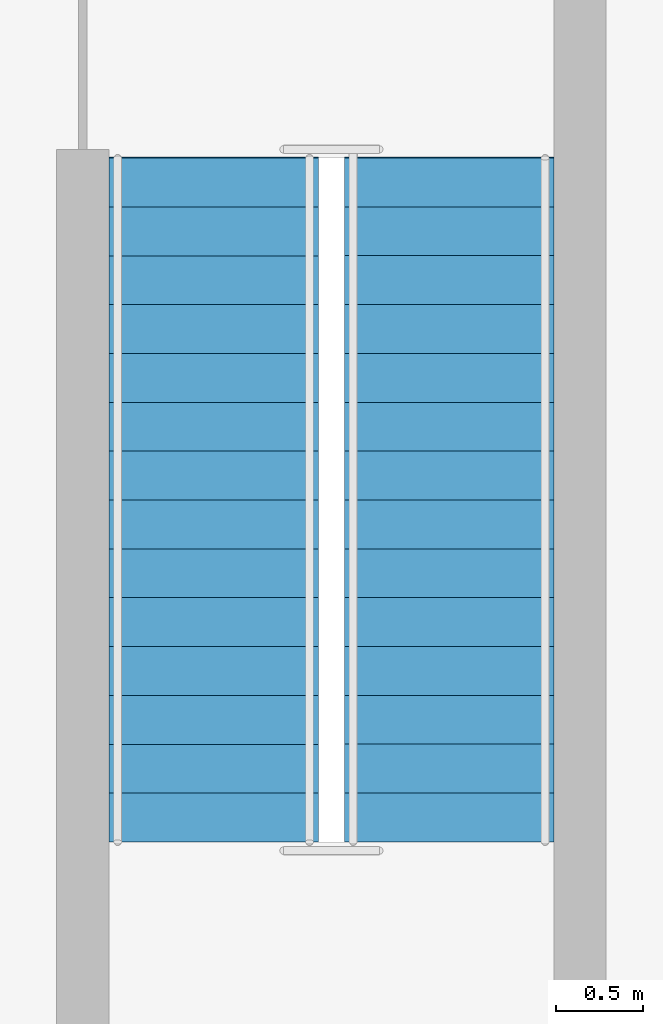
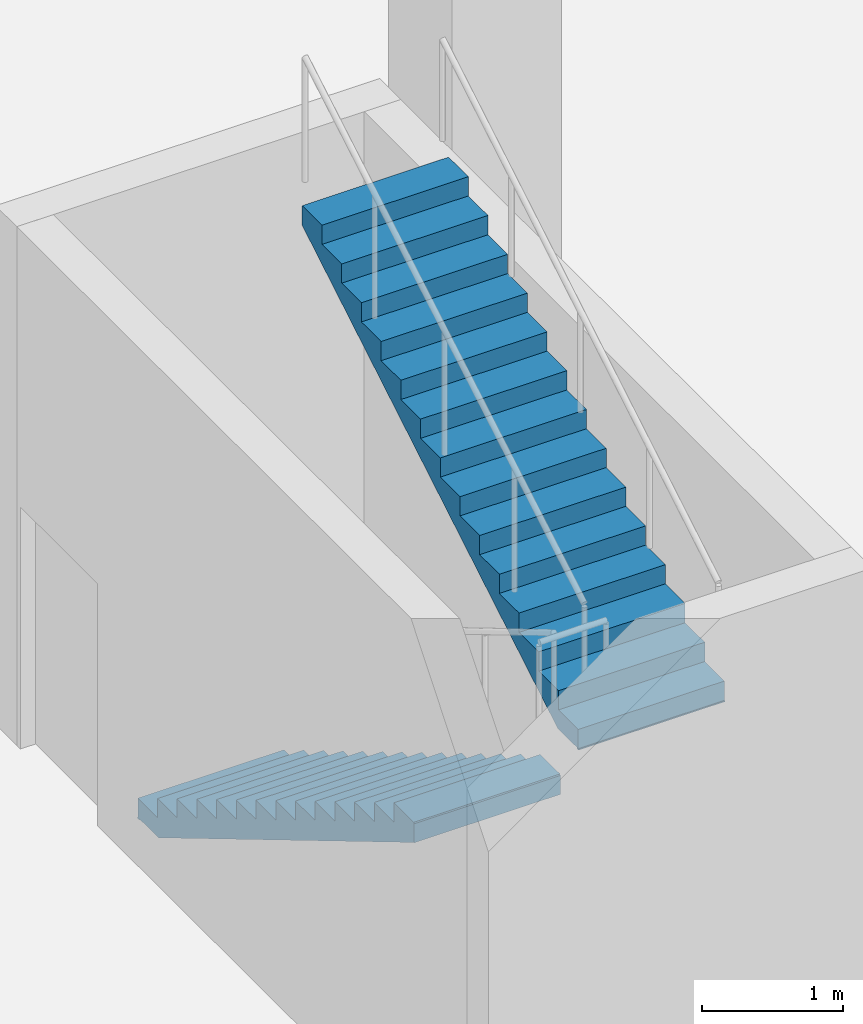
# One storey, part 33 of 36: 2 stair flights, 1 element without a shape of its own.
"""IFC4 building model written with IfcOpenShell, lengths in metres."""

from ifc_helpers import new_model, si_unit, direction, frame, origin, place, context, subcontext, project, spatial, polyline, outline, extrude, material, type_object, element, aggregate, save


model = new_model("IFC4")

# Units and contexts
model_context = context("Model", 3, precision=1e-05, world=origin(), true_north=direction((0.0, 1.0)))
body_context = subcontext(model_context, "Body", "Model", "MODEL_VIEW")
ifc_project = project(units=[si_unit("LENGTHUNIT", "METRE"), si_unit("AREAUNIT", "SQUARE_METRE"), si_unit("VOLUMEUNIT", "CUBIC_METRE"), si_unit("PLANEANGLEUNIT", "RADIAN"), si_unit("MASSUNIT", "GRAM", prefix="KILO")], contexts=[model_context])

# Site, building, storey
site_placement = place(None, origin())
site = spatial("IfcSite", under=ifc_project, at=site_placement, CompositionType="ELEMENT")
building_placement = place(site_placement, origin())
building = spatial("IfcBuilding", under=site, at=building_placement, Name="Plateau Cross Towers", CompositionType="ELEMENT")
storey_placement = place(building_placement, frame((0.0, 0.0, 21.800048828125)))
storey = spatial("IfcBuildingStorey", under=building, at=storey_placement, Name="L04", CompositionType="ELEMENT", Elevation=21.800048828125)

# Stair, stair flights
ifc_material = material(Name="Concrete C40/50", Category="concrete")
stair_type = type_object("IfcStairType", Name="ST-TWR", PredefinedType="HALF_TURN_STAIR", material=ifc_material)
stair_placement = place(storey_placement, origin())
stair = element("IfcStair", 1, at=stair_placement, inside=storey, type_object=stair_type, Name="L04 Protected Exit Stair SB-3", PredefinedType="HALF_TURN_STAIR")
stair_flight_type = type_object("IfcStairFlightType", Name="SFL-RC", PredefinedType="STRAIGHT", material=ifc_material)
stair_flight_1_placement = place(storey_placement, frame((96.60009765625, 10.5, 0.0), z_axis=(0.0, 0.0, 1.0), x_axis=(0.0, -1.0, 0.0)))
stair_flight_1 = element("IfcStairFlight", 2, at=stair_flight_1_placement, type_object=stair_flight_type, Name="SB-3 flight 1", NumberOfRisers=15, NumberOfTreads=14, PredefinedType="STRAIGHT", RiserHeight=0.166666667, TreadLength=0.28, context=body_context, shape_type="SweptSolid", body=[
    extrude(outline(polyline([(-0.0048828125, -0.010009765625), (-0.0048828125, 0.0), (0.0, 0.0), (0.0, 0.166748046875), (0.280029296875, 0.166748046875), (0.280029296875, 0.333251953125), (0.56005859375, 0.333251953125), (0.56005859375, 0.5), (0.840087890625, 0.5), (0.840087890625, 0.666748046875), (1.1201171875, 0.666748046875), (1.1201171875, 0.833251953125), (1.39990234375, 0.833251953125), (1.39990234375, 1.0), (1.679931640625, 1.0), (1.679931640625, 1.166748046875), (1.9599609375, 1.166748046875), (1.9599609375, 1.333251953125), (2.239990234375, 1.333251953125), (2.239990234375, 1.5), (2.52001953125, 1.5), (2.52001953125, 1.666748046875), (2.800048828125, 1.666748046875), (2.800048828125, 1.833251953125), (3.080078125, 1.833251953125), (3.080078125, 2.0), (3.360107421875, 2.0), (3.360107421875, 2.166748046875), (3.639892578125, 2.166748046875), (3.639892578125, 2.333251953125), (3.919921875, 2.333251953125), (3.925048828125, 2.3232421875), (3.925048828125, 2.158935546875), (3.919921875, 2.158935546875), (0.29296875, 0.0), (0.02001953125, 0.0), (0.02001953125, -0.010009765625), (-0.0048828125, -0.010009765625)])), frame((0.0, 0.60009765625, 0.0), z_axis=(0.0, -1.0, 0.0), x_axis=(1.0, 0.0, 0.0)), (0.0, 0.0, 1.0), 1.199951171875),
])
stair_flight_2_placement = place(storey_placement, frame((97.949951171875, 6.580078125, 2.5), z_axis=(0.0, 0.0, 1.0), x_axis=(0.0, 1.0, 0.0)))
stair_flight_2 = element("IfcStairFlight", 3, at=stair_flight_2_placement, type_object=stair_flight_type, Name="SB-3 flight 2", NumberOfRisers=15, NumberOfTreads=14, PredefinedType="STRAIGHT", RiserHeight=0.166666667, TreadLength=0.28, context=body_context, shape_type="SweptSolid", body=[
    extrude(outline(polyline([(-0.0048828125, -0.010009765625), (-0.0048828125, 0.0), (0.0, 0.0), (0.0, 0.166748046875), (0.280029296875, 0.166748046875), (0.280029296875, 0.333251953125), (0.56005859375, 0.333251953125), (0.56005859375, 0.5), (0.840087890625, 0.5), (0.840087890625, 0.666748046875), (1.1201171875, 0.666748046875), (1.1201171875, 0.833251953125), (1.39990234375, 0.833251953125), (1.39990234375, 1.0), (1.679931640625, 1.0), (1.679931640625, 1.166748046875), (1.9599609375, 1.166748046875), (1.9599609375, 1.333251953125), (2.239990234375, 1.333251953125), (2.239990234375, 1.5), (2.52001953125, 1.5), (2.52001953125, 1.666748046875), (2.800048828125, 1.666748046875), (2.800048828125, 1.833251953125), (3.080078125, 1.833251953125), (3.080078125, 2.0), (3.360107421875, 2.0), (3.360107421875, 2.166748046875), (3.639892578125, 2.166748046875), (3.639892578125, 2.333251953125), (3.919921875, 2.333251953125), (3.925048828125, 2.3232421875), (3.925048828125, 2.158935546875), (3.919921875, 2.158935546875), (0.29296875, 0.0), (0.02001953125, 0.0), (0.02001953125, -0.010009765625), (-0.0048828125, -0.010009765625)])), frame((0.0, 0.60009765625, 0.0), z_axis=(0.0, -1.0, 0.0), x_axis=(1.0, 0.0, 0.0)), (0.0, 0.0, 1.0), 1.199951171875),
])
aggregate(stair, [stair_flight_1, stair_flight_2])

save(model, "model.ifc")
